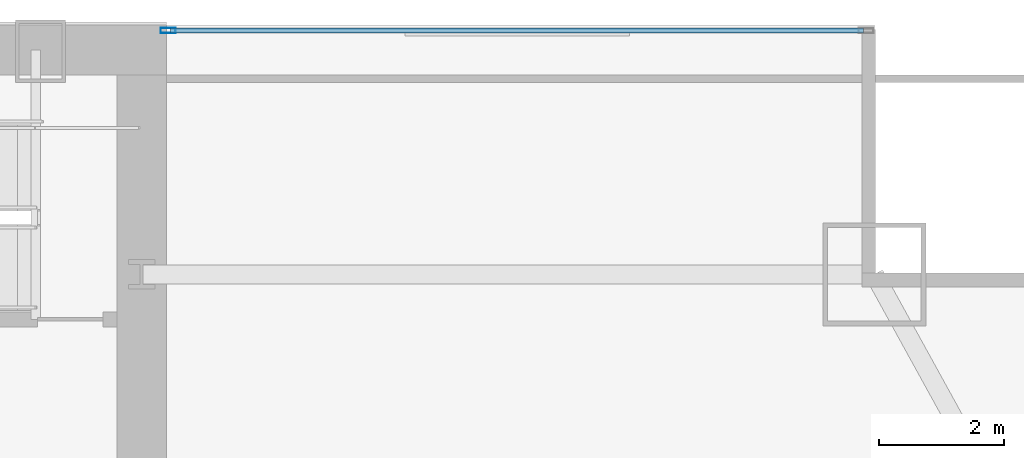
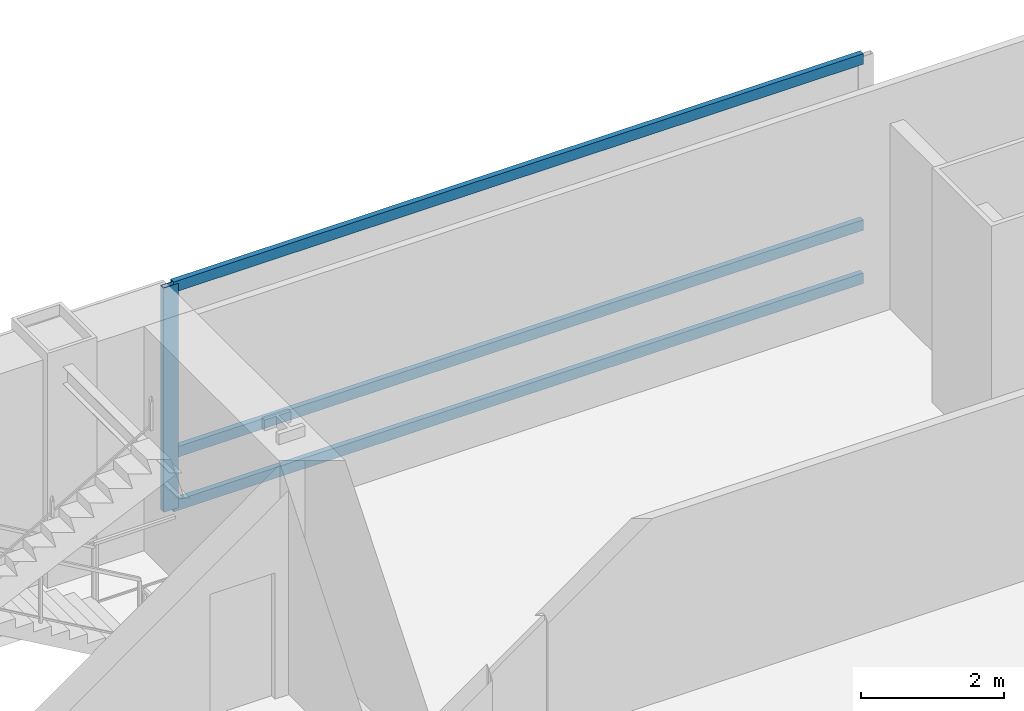
# One storey, part 20 of 35: 4 members, 1 element without a shape of its own.
"""IFC4 building model written with IfcOpenShell, lengths in metres."""

from ifc_helpers import new_model, si_unit, direction, frame, origin, origin_2d, place, context, subcontext, project, spatial, hollow_rectangle, extrude, material, material_profile, profile_set, type_object, element, aggregate, save


model = new_model("IFC4")

# Units and contexts
model_context = context("Model", 3, precision=1e-05, world=origin(), true_north=direction((0.0, 1.0)))
body_context = subcontext(model_context, "Body", "Model", "MODEL_VIEW")
ifc_project = project(units=[si_unit("LENGTHUNIT", "METRE"), si_unit("AREAUNIT", "SQUARE_METRE"), si_unit("VOLUMEUNIT", "CUBIC_METRE"), si_unit("PLANEANGLEUNIT", "RADIAN"), si_unit("MASSUNIT", "GRAM", prefix="KILO")], contexts=[model_context])

# Site, building, storey
site_placement = place(None, origin())
site = spatial("IfcSite", under=ifc_project, at=site_placement, CompositionType="ELEMENT")
building_placement = place(site_placement, origin())
building = spatial("IfcBuilding", under=site, at=building_placement, Name="Khoronbel Lancet Exchange", CompositionType="ELEMENT")
storey_placement = place(building_placement, frame((0.0, 0.0, 69.800048828125)))
storey = spatial("IfcBuildingStorey", under=building, at=storey_placement, Name="L16", CompositionType="ELEMENT", Elevation=69.800048828125)

# Curtain wall, members
ifc_material_1 = material(Name="Low-E Solar Control Insulating Glass", Category="glass")
curtain_wall_type = type_object("IfcCurtainWallType", Name="CW-1", PredefinedType="NOTDEFINED", material=ifc_material_1)
curtain_wall_placement = place(storey_placement, origin())
curtain_wall = element("IfcCurtainWall", 1, at=curtain_wall_placement, inside=storey, type_object=curtain_wall_type, Name="Unitised curtain wall CW-L16-NEFLK", PredefinedType="NOTDEFINED")
ifc_material_2 = material(Name="Bronze-Anodised Aluminium 6063-T6", Category="aluminium")
ifc_material_profile_1 = material_profile(ifc_material_2, hollow_rectangle(XDim=0.0849609375, YDim=0.239990234375, WallThickness=0.006103515625, at=origin_2d()), Name="ALU MULLION 85x240")
ifc_profile_set_1 = profile_set([ifc_material_profile_1], Name="Bronze-Anodised Aluminium 6063-T6")
member_type_1 = type_object("IfcMemberType", Name="MEM-CWM1", PredefinedType="MULLION", material=ifc_profile_set_1)
member_1_placement = place(storey_placement, frame((56.722412109375, 53.610107421875, 0.0), z_axis=(0.0, 0.0, 1.0), x_axis=(0.0, -1.0, 0.0)))
member_1 = element("IfcMember", 2, at=member_1_placement, type_object=member_type_1, Name="CW1 mullion 2", PredefinedType="MULLION", context=body_context, shape_type="SweptSolid", body=[
    extrude(hollow_rectangle(XDim=0.0849609375, YDim=0.239990234375, WallThickness=0.006103515625, at=origin_2d()), origin(), (0.0, 0.0, 1.0), 3.820068359375),
])
ifc_material_profile_2 = material_profile(ifc_material_2, hollow_rectangle(XDim=0.0849609375, YDim=0.179931640625, WallThickness=0.0048828125, at=origin_2d()), Name="ALU TRANSOM 85x180")
ifc_profile_set_2 = profile_set([ifc_material_profile_2], Name="Bronze-Anodised Aluminium 6063-T6")
member_type_2 = type_object("IfcMemberType", Name="MEM-CWT1", PredefinedType="USERDEFINED", material=ifc_profile_set_2)
member_2_placement = place(storey_placement, frame((67.875, 53.610107421875, 0.04248046875), z_axis=(-1.0, 0.0, 0.0), x_axis=(0.0, -1.0, 0.0)))
member_2 = element("IfcMember", 3, at=member_2_placement, type_object=member_type_2, Name="CW1 transom 1.1", ObjectType="TRANSOM", PredefinedType="USERDEFINED", context=body_context, shape_type="SweptSolid", body=[
    extrude(hollow_rectangle(XDim=0.0849609375, YDim=0.179931640625, WallThickness=0.0048828125, at=origin_2d()), origin(), (0.0, 0.0, 1.0), 11.110107421875),
])
member_3_placement = place(storey_placement, frame((67.875, 53.610107421875, 0.949951171875), z_axis=(-1.0, 0.0, 0.0), x_axis=(0.0, -1.0, 0.0)))
member_3 = element("IfcMember", 4, at=member_3_placement, type_object=member_type_2, Name="CW1 transom 1.2", ObjectType="TRANSOM", PredefinedType="USERDEFINED", context=body_context, shape_type="SweptSolid", body=[
    extrude(hollow_rectangle(XDim=0.0849609375, YDim=0.179931640625, WallThickness=0.0048828125, at=origin_2d()), origin(), (0.0, 0.0, 1.0), 11.110107421875),
])
member_4_placement = place(storey_placement, frame((67.875, 53.610107421875, 3.77734375), z_axis=(-1.0, 0.0, 0.0), x_axis=(0.0, -1.0, 0.0)))
member_4 = element("IfcMember", 5, at=member_4_placement, type_object=member_type_2, Name="CW1 transom 1.3", ObjectType="TRANSOM", PredefinedType="USERDEFINED", context=body_context, shape_type="SweptSolid", body=[
    extrude(hollow_rectangle(XDim=0.0849609375, YDim=0.179931640625, WallThickness=0.0048828125, at=origin_2d()), origin(), (0.0, 0.0, 1.0), 11.110107421875),
])
aggregate(curtain_wall, [member_1, member_2, member_3, member_4])

save(model, "model.ifc")
